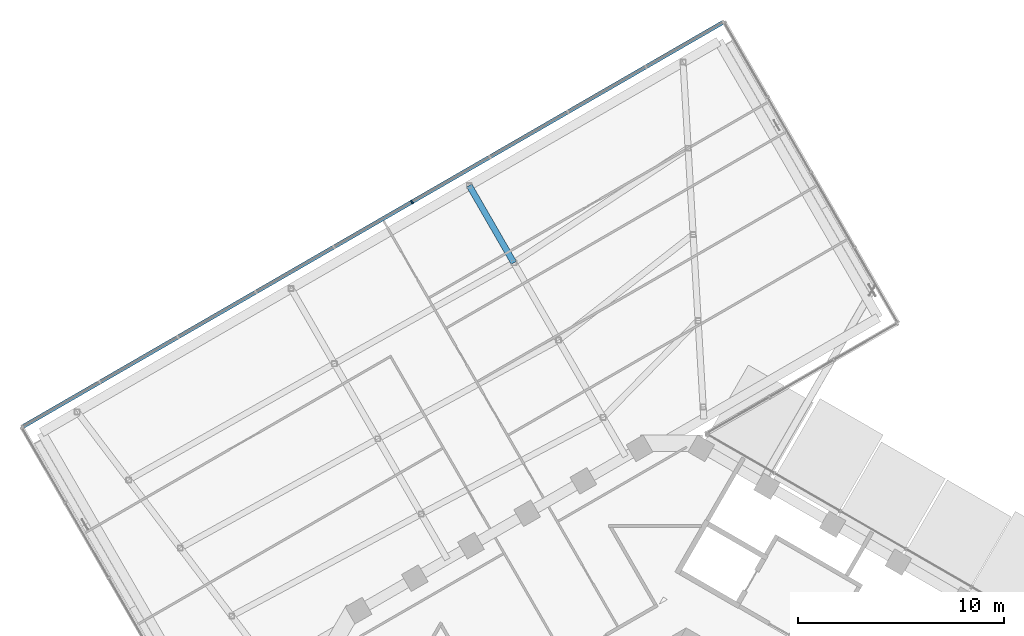
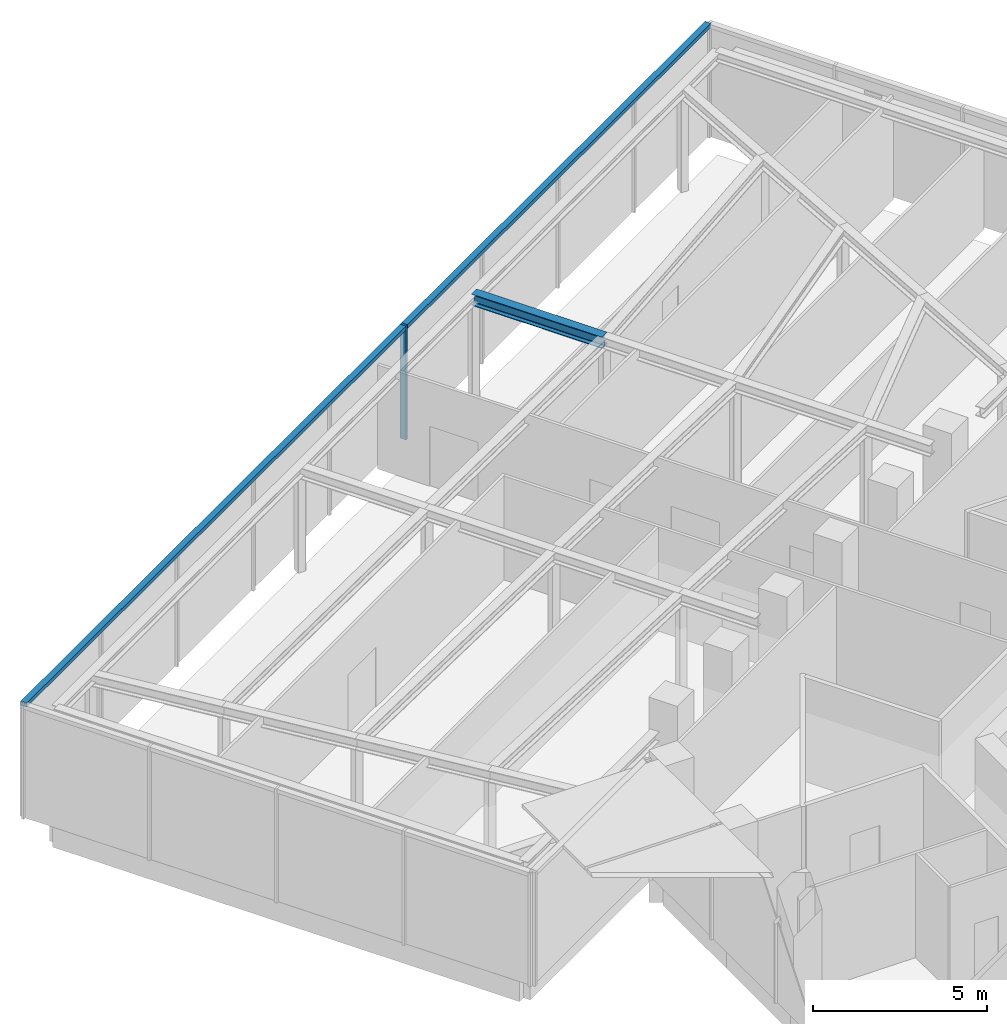
# One storey, part 7 of 27: 2 members, 1 beam, 1 element without a shape of its own.
"""IFC4 building model written with IfcOpenShell, lengths in metres."""

from ifc_helpers import new_model, si_unit, direction, frame, origin, origin_2d, place, context, subcontext, project, spatial, rectangle, i_section, extrude, material, layer, layer_set, material_profile, profile_set, type_object, element, aggregate, save


model = new_model("IFC4")

# Units and contexts
model_context = context("Model", 3, precision=1e-05, world=origin(), true_north=direction((0.0, 1.0)))
body_context = subcontext(model_context, "Body", "Model", "MODEL_VIEW")
ifc_project = project(units=[si_unit("LENGTHUNIT", "METRE"), si_unit("AREAUNIT", "SQUARE_METRE"), si_unit("VOLUMEUNIT", "CUBIC_METRE"), si_unit("PLANEANGLEUNIT", "RADIAN"), si_unit("MASSUNIT", "GRAM", prefix="KILO")], contexts=[model_context])

# Site, building, storey
site_placement = place(None, origin())
site = spatial("IfcSite", under=ifc_project, at=site_placement, CompositionType="ELEMENT")
building_placement = place(site_placement, origin())
building = spatial("IfcBuilding", under=site, at=building_placement, Name="Ayvan Gate Tower", CompositionType="ELEMENT")
storey_placement = place(building_placement, frame((0.0, 0.0, 194.699951171875)))
storey = spatial("IfcBuildingStorey", under=building, at=storey_placement, Name="L52", CompositionType="ELEMENT", Elevation=194.699951171875)

# Beam
ifc_material_1 = material(Name="Steel S460ML", Category="steel")
ifc_material_profile_1 = material_profile(ifc_material_1, i_section(OverallWidth=0.300048828125, OverallDepth=0.39990234375, WebThickness=0.013427734375, FlangeThickness=0.02392578125, FilletRadius=0.027099609375, at=origin_2d()), Name="HE 400 B")
ifc_profile_set_1 = profile_set([ifc_material_profile_1], Name="Steel S460ML")
beam_type = type_object("IfcBeamType", Name="Sky bar roof beam B4 HE 400 B", PredefinedType="BEAM", material=ifc_profile_set_1)
beam_placement = place(storey_placement, frame((-8.3759765625, 28.707763671875, 3.5), z_axis=(-0.500001834845, 0.866024344433, 0.0), x_axis=(-0.866024344433, -0.500001834845, 0.0)))
element("IfcBeam", 1, at=beam_placement, inside=storey, type_object=beam_type, Name="RB-B4-SBT4-2-4", PredefinedType="BEAM", context=body_context, shape_type="SweptSolid", body=[
    extrude(i_section(OverallWidth=0.300048828125, OverallDepth=0.39990234375, WebThickness=0.013427734375, FlangeThickness=0.02392578125, FilletRadius=0.027099609375, at=origin_2d()), origin(), (0.0, 0.0, 1.0), 4.3369140625),
])

# Curtain wall, members
ifc_material_2 = material(Name="Bronze anodised aluminium", Category="aluminium")
ifc_layer = layer(ifc_material_2, 0.199951171875)
ifc_layer_set = layer_set([ifc_layer], Name="Bronze anodised aluminium")
curtain_wall_type = type_object("IfcCurtainWallType", Name="Stick curtain wall CW-4", PredefinedType="NOTDEFINED", material=ifc_layer_set)
curtain_wall_placement = place(storey_placement, origin())
curtain_wall = element("IfcCurtainWall", 2, at=curtain_wall_placement, inside=storey, type_object=curtain_wall_type, Name="Stick curtain wall CW-4 L52", PredefinedType="NOTDEFINED")
ifc_material_profile_2 = material_profile(ifc_material_2, rectangle(XDim=0.199951171875, YDim=0.080078125, at=origin_2d()), Name="Stick curtain wall CW-4 mullion 200 x 80")
ifc_profile_set_2 = profile_set([ifc_material_profile_2], Name="Bronze anodised aluminium")
member_type_1 = type_object("IfcMemberType", Name="Stick curtain wall CW-4 mullion 200 x 80", PredefinedType="MULLION", material=ifc_profile_set_2)
member_1_placement = place(storey_placement, frame((-13.3291015625, 31.664306640625, 0.0), z_axis=(0.0, 0.0, 1.0), x_axis=(-0.5, 0.866025403784, 0.0)))
member_1 = element("IfcMember", 3, at=member_1_placement, type_object=member_type_1, Name="CW-4 mullion 5", PredefinedType="MULLION", context=body_context, shape_type="SweptSolid", body=[
    extrude(rectangle(XDim=0.199951171875, YDim=0.080078125, at=origin_2d()), origin(), (0.0, 0.0, 1.0), 4.0),
])
ifc_material_profile_3 = material_profile(ifc_material_2, rectangle(XDim=0.199951171875, YDim=0.139892578125, at=origin_2d()), Name="Stick curtain wall CW-4 transom 200 x 140")
ifc_profile_set_3 = profile_set([ifc_material_profile_3], Name="Bronze anodised aluminium")
member_type_2 = type_object("IfcMemberType", Name="Stick curtain wall CW-4 transom 200 x 140", PredefinedType="USERDEFINED", material=ifc_profile_set_3)
member_2_placement = place(storey_placement, frame((1.801513671875, 40.39990234375, 3.929931640625), z_axis=(-0.866024491936, -0.500001579365, 0.0), x_axis=(0.500001579365, -0.866024491936, 0.0)))
member_2 = element("IfcMember", 4, at=member_2_placement, type_object=member_type_2, Name="CW-4 transom 1", ObjectType="TRANSOM", PredefinedType="USERDEFINED", context=body_context, shape_type="SweptSolid", body=[
    extrude(rectangle(XDim=0.199951171875, YDim=0.139892578125, at=origin_2d()), origin(), (0.0, 0.0, 1.0), 39.320068359375),
])
aggregate(curtain_wall, [member_1, member_2])

save(model, "model.ifc")
